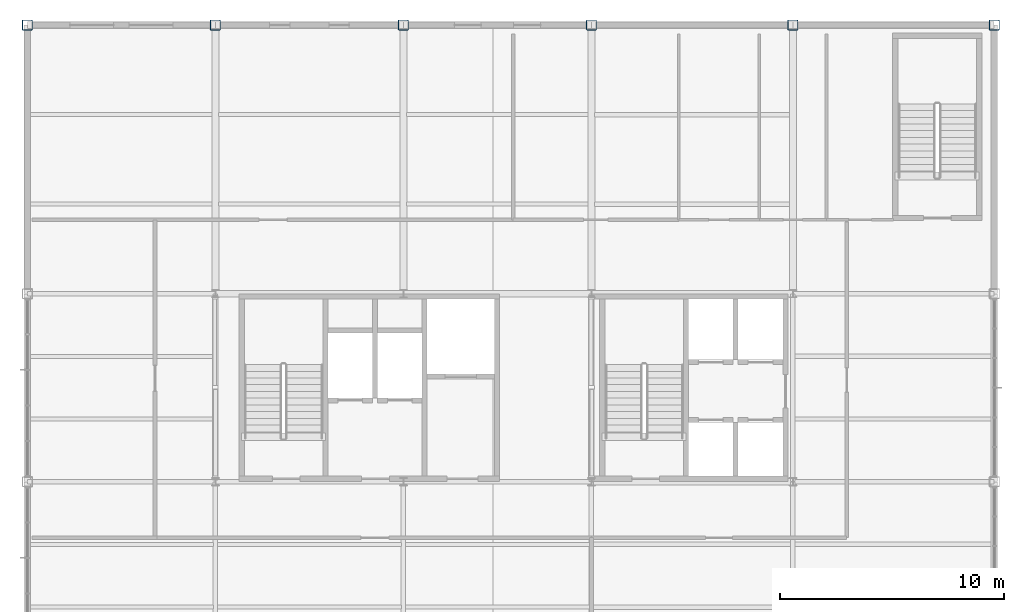
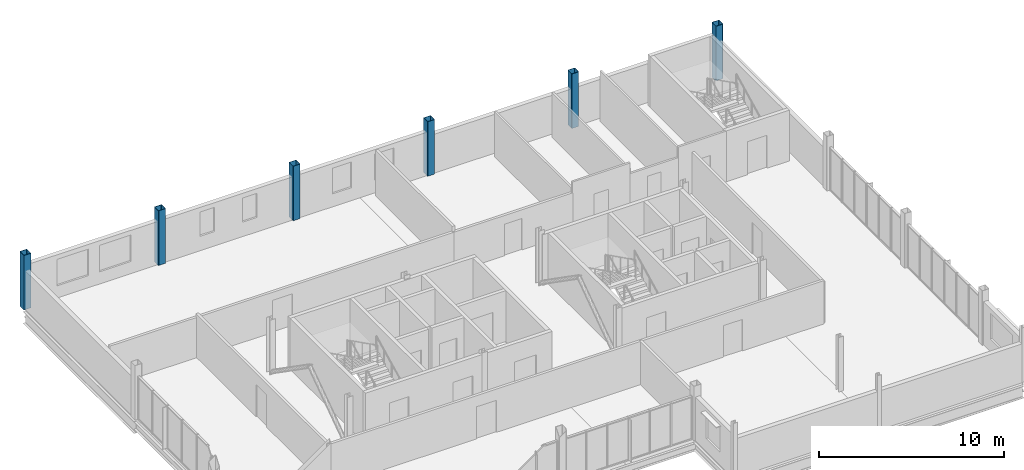
# One storey, part 3 of 16: 6 columns.
"""IFC4 building model written with IfcOpenShell, lengths in metres."""

from ifc_helpers import new_model, si_unit, direction, frame, origin, origin_2d, place, context, subcontext, project, spatial, hollow_rectangle, extrude, material, material_profile, profile_set, type_object, element, save


model = new_model("IFC4")

# Units and contexts
model_context = context("Model", 3, precision=1e-05, world=origin(), true_north=direction((0.0, 1.0)))
body_context = subcontext(model_context, "Body", "Model", "MODEL_VIEW")
ifc_project = project(units=[si_unit("LENGTHUNIT", "METRE"), si_unit("AREAUNIT", "SQUARE_METRE"), si_unit("VOLUMEUNIT", "CUBIC_METRE"), si_unit("PLANEANGLEUNIT", "RADIAN"), si_unit("MASSUNIT", "GRAM", prefix="KILO")], contexts=[model_context])

# Site, building, storey
site_placement = place(None, origin())
site = spatial("IfcSite", under=ifc_project, at=site_placement, CompositionType="ELEMENT")
building_placement = place(site_placement, origin())
building = spatial("IfcBuilding", under=site, at=building_placement, Name="Yukiwa Park Conservatory and Herbarium", CompositionType="ELEMENT")
storey_placement = place(building_placement, frame((0.0, 0.0, 43.199951171875)))
storey = spatial("IfcBuildingStorey", under=building, at=storey_placement, Name="L11", CompositionType="ELEMENT", Elevation=43.199951171875)

# Columns
ifc_material = material(Name="Steel Q355D", Category="steel")
ifc_material_profile = material_profile(ifc_material, hollow_rectangle(XDim=0.449951171875, YDim=0.449951171875, WallThickness=0.01806640625, InnerFilletRadius=0.01806640625, OuterFilletRadius=0.035888671875, at=origin_2d()), Name="BOX 450x450x18")
ifc_profile_set = profile_set([ifc_material_profile], Name="Steel Q355D")
column_type = type_object("IfcColumnType", Name="COL-TW-BOX450-EXT", PredefinedType="COLUMN", material=ifc_profile_set)
for number, where, z_axis, x_axis, name in (
    (1, (124.800048828125, 115.199951171875, 0.0), (0.0, 0.0, 1.0), (1.0, 0.0, 0.0), "L11 column V5-X1248-Y1152"),
    (2, (133.199951171875, 115.199951171875, 0.0), (0.0, 0.0, 1.0), (1.0, 0.0, 0.0), "L11 column V5-X1332-Y1152"),
    (3, (141.60009765625, 115.199951171875, 0.0), (0.0, 0.0, 1.0), (1.0, 0.0, 0.0), "L11 column V5-X1416-Y1152"),
    (4, (150.0, 115.199951171875, 0.0), (0.0, 0.0, 1.0), (1.0, 0.0, 0.0), "L11 column V5-X1500-Y1152"),
    (5, (159.0, 115.199951171875, 0.0), (0.0, 0.0, 1.0), (1.0, 0.0, 0.0), "L11 column V5-X1590-Y1152"),
    (6, (168.0, 115.199951171875, 0.0), (0.0, 0.0, 1.0), (1.0, 0.0, 0.0), "L11 column V5-X1680-Y1152"),
):
    element("IfcColumn", number, at=place(storey_placement, frame(where, z_axis=z_axis, x_axis=x_axis)), inside=storey, type_object=column_type, Name=name, PredefinedType="COLUMN", context=body_context, shape_type="SweptSolid", body=[
        extrude(hollow_rectangle(XDim=0.449951171875, YDim=0.449951171875, WallThickness=0.01806640625, InnerFilletRadius=0.01806640625, OuterFilletRadius=0.035888671875, at=origin_2d()), origin(), (0.0, 0.0, 1.0), 3.60009765625),
    ])

save(model, "model.ifc")
